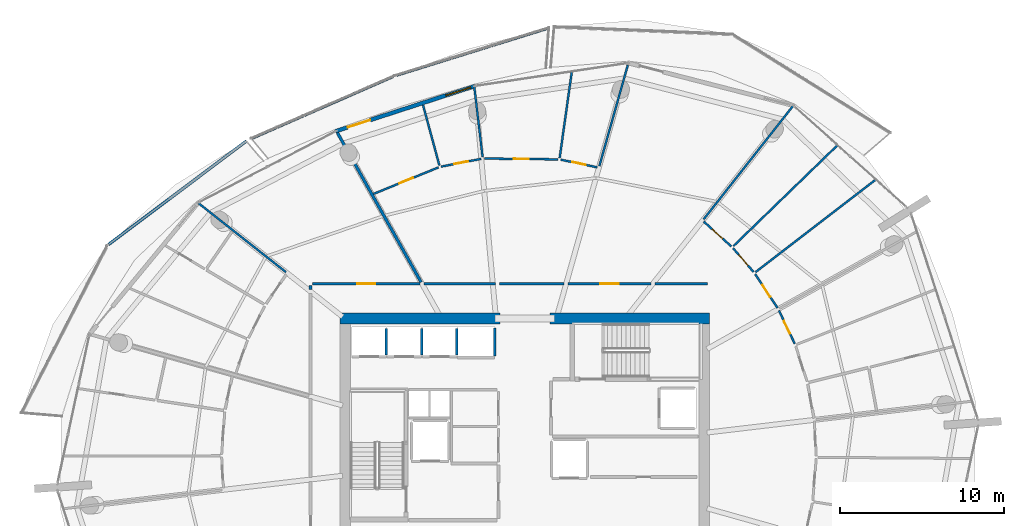
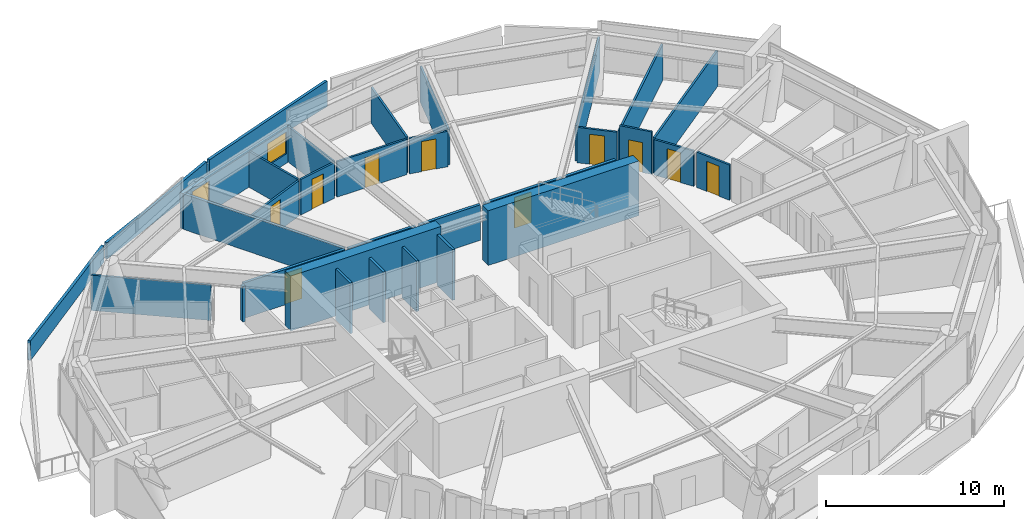
# One storey, part 14 of 20: 33 walls, 11 doors, 1 window, 12 openings.
"""IFC4 building model written with IfcOpenShell, lengths in metres."""

import ifcopenshell
import ifcopenshell.guid

model = None  # the IFC model being written
_history = None  # IfcOwnerHistory: only IFC2X3 demands one
_inside = {}  # id of a spatial element -> (the spatial element, [elements in it])
_under = {}  # id of a project, library or spatial element -> (it, [spatial elements below it])
_declared = {}  # id of a project -> (the project, [libraries it declares])
_typed = {}  # id of a type object -> (the type object, [elements of that type])
_made_of = {}  # id of a material, layer set ... -> (it, [elements and type objects made of it])


def new_model(schema):
    """Start an empty IFC model of exactly this schema.

    Asked for "IFC4X3", IfcOpenShell would pick the latest addendum, in which some entities
    have other attributes; the version numbers below select the first issue.
    IFC2X3 requires an IfcOwnerHistory on every rooted entity: one is made here for all.
    """
    global model, _history
    if schema == "IFC4X3":
        model = ifcopenshell.file(schema_version=(4, 3, 0, 0))
    else:
        model = ifcopenshell.file(schema=schema)
    _inside.clear()
    _under.clear()
    _declared.clear()
    _typed.clear()
    _made_of.clear()
    _history = None
    if model.schema == "IFC2X3":
        org = make("IfcOrganization", Name="unknown")
        user = make(
            "IfcPersonAndOrganization",
            ThePerson=make("IfcPerson", FamilyName="unknown"),
            TheOrganization=org,
        )
        app = make(
            "IfcApplication",
            ApplicationDeveloper=org,
            Version="unknown",
            ApplicationFullName="unknown",
            ApplicationIdentifier="unknown",
        )
        _history = make(
            "IfcOwnerHistory",
            OwningUser=user,
            OwningApplication=app,
            ChangeAction="ADDED",
            CreationDate=0,
        )
    return model


def make(cls, **values):
    """One entity of the class cls with the attributes given. An attribute that is None is left unset."""
    return model.create_entity(
        cls, **{name: value for name, value in values.items() if value is not None}
    )


def rooted(cls, **values):
    """An entity with a GlobalId (a new one), such as an element, a storey or a relation."""
    return make(cls, GlobalId=ifcopenshell.guid.new(), OwnerHistory=_history, **values)


def si_unit(unit_type, name, prefix=None):
    """IfcSIUnit, for example si_unit("LENGTHUNIT", "METRE", prefix="MILLI")."""
    return make("IfcSIUnit", UnitType=unit_type, Prefix=prefix, Name=name)


def assignment(units):
    """IfcUnitAssignment: the units of a project."""
    return None if units is None else make("IfcUnitAssignment", Units=units)


def point(xyz):
    """IfcCartesianPoint."""
    return None if xyz is None else make("IfcCartesianPoint", Coordinates=xyz)


def direction(xyz):
    """IfcDirection."""
    return None if xyz is None else make("IfcDirection", DirectionRatios=xyz)


def frame(location, z_axis=None, x_axis=None):
    """IfcAxis2Placement3D, a coordinate frame: its origin and axes. An axis left out is left unset."""
    return make(
        "IfcAxis2Placement3D",
        Location=point(location),
        Axis=direction(z_axis),
        RefDirection=direction(x_axis),
    )


def frame_2d(location, x_axis=None):
    """IfcAxis2Placement2D, a coordinate frame in the plane: its origin and x axis."""
    return make(
        "IfcAxis2Placement2D", Location=point(location), RefDirection=direction(x_axis)
    )


def origin():
    """The frame at (0, 0, 0) with its axes left unset."""
    return frame((0.0, 0.0, 0.0))


def place(relative_to, where):
    """IfcLocalPlacement: puts the frame where relative to a parent placement (None: the world)."""
    return make(
        "IfcLocalPlacement", PlacementRelTo=relative_to, RelativePlacement=where
    )


def context(
    kind, dimensions, precision=None, world=None, true_north=None, identifier=None
):
    """IfcGeometricRepresentationContext, for example the 3D "Model" context."""
    return make(
        "IfcGeometricRepresentationContext",
        ContextIdentifier=identifier,
        ContextType=kind,
        CoordinateSpaceDimension=dimensions,
        Precision=precision,
        WorldCoordinateSystem=world,
        TrueNorth=true_north,
    )


def subcontext(parent, identifier, kind, view, scale=None):
    """IfcGeometricRepresentationSubContext, for example "Body" below "Model"."""
    return make(
        "IfcGeometricRepresentationSubContext",
        ContextIdentifier=identifier,
        ContextType=kind,
        ParentContext=parent,
        TargetScale=scale,
        TargetView=view,
    )


def project(units=None, contexts=None):
    """IfcProject with its units and contexts."""
    return rooted(
        "IfcProject",
        Name="project",
        RepresentationContexts=contexts,
        UnitsInContext=assignment(units),
    )


def spatial(cls, under=None, at=None, **own):
    """A site, building, storey or space (cls), placed at a placement, below another one or the project."""
    s = rooted(cls, ObjectPlacement=at, **own)
    if under is not None:
        _under.setdefault(under.id(), (under, []))[1].append(s)
    return s


def polyline(points):
    """IfcPolyline through the points."""
    return make("IfcPolyline", Points=[point(p) for p in points])


def profile(cls, at=None, kind="AREA", **sizes):
    """A parametric profile (cls). Its sizes go by their IFC names, for example OverallWidth=200.0."""
    return make(cls, ProfileType=kind, Position=at, **sizes)


def rectangle(**sizes):
    """IfcRectangleProfileDef."""
    return profile("IfcRectangleProfileDef", **sizes)


def outline(outer, holes=None, kind="AREA"):
    """IfcArbitraryClosedProfileDef: a profile drawn as a closed curve; with holes, ...WithVoids."""
    if holes is None:
        return make("IfcArbitraryClosedProfileDef", ProfileType=kind, OuterCurve=outer)
    return make(
        "IfcArbitraryProfileDefWithVoids",
        ProfileType=kind,
        OuterCurve=outer,
        InnerCurves=holes,
    )


def extrude(swept, where, along, depth):
    """IfcExtrudedAreaSolid: the profile swept, set in the frame where, extruded along a direction by depth."""
    return make(
        "IfcExtrudedAreaSolid",
        SweptArea=swept,
        Position=where,
        ExtrudedDirection=direction(along),
        Depth=depth,
    )


def shape(context_of_items, identifier, shape_type, items):
    """IfcShapeRepresentation: the items that make up one representation, for example the "Body"."""
    return make(
        "IfcShapeRepresentation",
        ContextOfItems=context_of_items,
        RepresentationIdentifier=identifier,
        RepresentationType=shape_type,
        Items=items,
    )


def material(Name=None, Category=None):
    """IfcMaterial."""
    return make("IfcMaterial", Name=Name, Category=Category)


def layer(
    of_material, thickness, ventilated=None, Name=None, Category=None, Priority=None
):
    """IfcMaterialLayer: one layer of a wall or slab, of a material (None: an air gap)."""
    return make(
        "IfcMaterialLayer",
        Material=of_material,
        LayerThickness=thickness,
        IsVentilated=ventilated,
        Name=Name,
        Category=Category,
        Priority=Priority,
    )


def layer_set(layers, Name=None):
    """IfcMaterialLayerSet."""
    return make("IfcMaterialLayerSet", MaterialLayers=layers, LayerSetName=Name)


def made_of(thing, what):
    """Note that an element or type object is made of a material, layer set ...; save() writes the relation."""
    if what is not None:
        _made_of.setdefault(what.id(), (what, []))[1].append(thing)
    return thing


def type_object(cls, material=None, **own):
    """A type object (cls), such as IfcWallType, which elements share."""
    return made_of(rooted(cls, **own), material)


def element(
    cls,
    number,
    at=None,
    inside=None,
    cuts=None,
    type_object=None,
    material=None,
    context=None,
    identifier="Body",
    shape_type=None,
    held_by="IfcProductDefinitionShape",
    body=None,
    shapes=None,
    **own,
):
    """One element of the class cls, such as IfcWall. Its Tag is "e" and its number.

    at: its placement. inside: the storey or other place that contains it. cuts: it is an
    opening in that element (IfcRelVoidsElement). A single representation is given by context,
    identifier, shape_type and body (its items); several are given by shapes. held_by: the class
    of the entity that holds the representations. save() writes the other relations.
    """
    e = rooted(cls, Tag="e%d" % number, ObjectPlacement=at, **own)
    if body is not None:
        shapes = [shape(context, identifier, shape_type, body)]
    if shapes is not None:
        e.Representation = make(held_by, Representations=shapes)
    if inside is not None:
        _inside.setdefault(inside.id(), (inside, []))[1].append(e)
    if cuts is not None:
        rooted(
            "IfcRelVoidsElement", RelatingBuildingElement=cuts, RelatedOpeningElement=e
        )
    if type_object is not None:
        _typed.setdefault(type_object.id(), (type_object, []))[1].append(e)
    return made_of(e, material)


def fill(opening, filler):
    """IfcRelFillsElement: the door or window that sits in an opening."""
    return rooted(
        "IfcRelFillsElement",
        RelatingOpeningElement=opening,
        RelatedBuildingElement=filler,
    )


def aggregate(whole, parts):
    """IfcRelAggregates: a whole, such as a stair, and the parts it consists of."""
    return rooted("IfcRelAggregates", RelatingObject=whole, RelatedObjects=parts)


def save(model, path):
    """Write the relations noted so far, then the file.

    IfcRelAggregates (storeys below a building ...), IfcRelContainedInSpatialStructure (elements
    in a storey), IfcRelDefinesByType, IfcRelAssociatesMaterial and IfcRelDeclares: one each for
    every whole, place, type object, material and project.
    """
    for whole, parts in _under.values():
        aggregate(whole, parts)
    for where, things in _inside.values():
        rooted(
            "IfcRelContainedInSpatialStructure",
            RelatedElements=things,
            RelatingStructure=where,
        )
    for kind, things in _typed.values():
        rooted("IfcRelDefinesByType", RelatedObjects=things, RelatingType=kind)
    for what, things in _made_of.values():
        rooted("IfcRelAssociatesMaterial", RelatedObjects=things, RelatingMaterial=what)
    for by, libraries in _declared.values():
        rooted("IfcRelDeclares", RelatingContext=by, RelatedDefinitions=libraries)
    model.write(path)


model = new_model("IFC4")

# Units and contexts
model_context = context("Model", 3, precision=1e-05, world=origin(), true_north=direction((0.0, 1.0)))
body_context = subcontext(model_context, "Body", "Model", "MODEL_VIEW")
ifc_project = project(units=[si_unit("LENGTHUNIT", "METRE"), si_unit("AREAUNIT", "SQUARE_METRE"), si_unit("VOLUMEUNIT", "CUBIC_METRE"), si_unit("PLANEANGLEUNIT", "RADIAN"), si_unit("MASSUNIT", "GRAM", prefix="KILO")], contexts=[model_context])

# Site, building, storey
site_placement = place(None, origin())
site = spatial("IfcSite", under=ifc_project, at=site_placement, CompositionType="ELEMENT")
building_placement = place(site_placement, origin())
building = spatial("IfcBuilding", under=site, at=building_placement, Name="Kazma Halo Residences", CompositionType="ELEMENT")
storey_placement = place(building_placement, frame((0.0, 0.0, 221.550048828125)))
storey = spatial("IfcBuildingStorey", under=building, at=storey_placement, Name="L56", CompositionType="ELEMENT", Elevation=221.550048828125)

# Walls
ifc_material_1 = material(Name="White Concrete C50/60 Balustrade", Category="concrete")
ifc_layer_1 = layer(ifc_material_1, 0.179931640625)
ifc_layer_set_1 = layer_set([ifc_layer_1], Name="White Concrete C50/60 Balustrade")
wall_type_1 = type_object("IfcWallType", Name="WL-BAL-WAVE-180", PredefinedType="PARAPET", material=ifc_layer_set_1)
wall_1_placement = place(storey_placement, frame((49.8916015625, 68.071044921875, 0.0), z_axis=(0.0, 0.0, 1.0), x_axis=(-0.954909554677, -0.296896854793, 0.0)))
element("IfcWall", 1, at=wall_1_placement, inside=storey, type_object=wall_type_1, Name="L56 white wave balustrade wall NNW.1", PredefinedType="PARAPET", context=body_context, shape_type="SweptSolid", body=[
    extrude(outline(polyline([(0.0, 0.0), (9.736083984375, 0.0), (9.736328125, 1.347900390625), (4.8681640625, 1.56201171875), (0.0, 1.7470703125), (0.0, 0.0)])), frame((0.0, 0.08984375, 0.0), z_axis=(0.0, -1.0, 0.0), x_axis=(1.0, 0.0, 0.0)), (0.0, 0.0, 1.0), 0.179931640625),
])
wall_2_placement = place(storey_placement, frame((40.369873046875, 65.0966796875, 0.0), z_axis=(0.0, 0.0, 1.0), x_axis=(-0.916057097562, -0.401047869968, 0.0)))
element("IfcWall", 2, at=wall_2_placement, inside=storey, type_object=wall_type_1, Name="L56 white wave balustrade wall NNW.2", PredefinedType="PARAPET", context=body_context, shape_type="SweptSolid", body=[
    extrude(outline(polyline([(0.0, 0.0), (9.44970703125, 0.0), (9.44970703125, 1.119873046875), (4.724853515625, 1.181884765625), (0.0, 1.347900390625), (0.0, 0.0)])), frame((0.0, 0.08984375, 0.0), z_axis=(0.0, -1.0, 0.0), x_axis=(1.0, 0.0, 0.0)), (0.0, 0.0, 1.0), 0.179931640625),
])
wall_3_placement = place(storey_placement, frame((31.431884765625, 61.160400390625, 0.0), z_axis=(0.0, 0.0, 1.0), x_axis=(-0.799768695593, -0.600308282093, 0.0)))
element("IfcWall", 3, at=wall_3_placement, inside=storey, type_object=wall_type_1, Name="L56 white wave balustrade wall NW.1", PredefinedType="PARAPET", context=body_context, shape_type="SweptSolid", body=[
    extrude(outline(polyline([(0.0, 0.0), (10.515380859375, 0.0), (10.515380859375, 1.347900390625), (5.2578125, 1.181884765625), (0.0, 1.119873046875), (0.0, 0.0)])), frame((0.0, 0.08984375, 0.0), z_axis=(0.0, -1.0, 0.0), x_axis=(1.0, 0.0, 0.0)), (0.0, 0.0, 1.0), 0.179931640625),
])
ifc_material_2 = material(Name="Concrete C60/75", Category="concrete")
ifc_layer_2 = layer(ifc_material_2, 0.64990234375)
ifc_layer_set_2 = layer_set([ifc_layer_2], Name="Concrete C60/75")
wall_type_2 = type_object("IfcWallType", Name="WL-CORE-650", PredefinedType="SHEAR", material=ifc_layer_set_2)
for number, where, z_axis, x_axis, name in (
    (4, (37.14990234375, 50.324951171875, 0.0), (0.0, 0.0, 1.0), (1.0, 0.0, 0.0), "L56 central core shear wall NW"),
    (5, (49.949951171875, 50.324951171875, 0.0), (0.0, 0.0, 1.0), (1.0, 0.0, 0.0), "L56 central core shear wall NE"),
):
    element("IfcWall", number, at=place(storey_placement, frame(where, z_axis=z_axis, x_axis=x_axis)), inside=storey, type_object=wall_type_2, Name=name, PredefinedType="SHEAR", context=body_context, shape_type="SweptSolid", body=[
        extrude(rectangle(XDim=9.75, YDim=0.64990234375, at=frame_2d((4.875, 0.0))), origin(), (0.0, 0.0, 1.0), 3.75),
    ])
ifc_material_3 = material(Name="Acoustic Twin-Stud Gypsum")
ifc_layer_3 = layer(ifc_material_3, 0.179931640625)
ifc_layer_set_3 = layer_set([ifc_layer_3], Name="Acoustic Twin-Stud Gypsum")
wall_type_3 = type_object("IfcWallType", Name="WL-DEM-180", PredefinedType="PARTITIONING", material=ifc_layer_set_3)
wall_4_placement = place(storey_placement, frame((42.093994140625, 52.5458984375, 0.0), z_axis=(0.0, 0.0, 1.0), x_axis=(-0.488614041717, 0.872500039104, 0.0)))
element("IfcWall", 6, at=wall_4_placement, inside=storey, type_object=wall_type_3, Name="L56 apartment demising radial wall 04", PredefinedType="PARTITIONING", context=body_context, shape_type="SweptSolid", body=[
    extrude(rectangle(XDim=10.448486328125, YDim=0.179931640625, at=frame_2d((5.22412109375, 0.0))), origin(), (0.0, 0.0, 1.0), 2.427001953125),
])

# Wall, opening, door
wall_5_placement = place(storey_placement, frame((42.027587890625, 52.449951171875, 0.0), z_axis=(0.0, 0.0, 1.0), x_axis=(-1.0, 0.0, 0.0)))
wall_5 = element("IfcWall", 7, at=wall_5_placement, inside=storey, type_object=wall_type_3, Name="L56 Apartment 1 entrance corridor wall", PredefinedType="PARTITIONING", context=body_context, shape_type="SweptSolid", body=[
    extrude(rectangle(XDim=6.5576171875, YDim=0.179931640625, at=frame_2d((3.27880859375, 0.0))), origin(), (0.0, 0.0, 1.0), 2.427001953125),
])
opening_1_placement = place(wall_5_placement, frame((2.72900390625, 0.0, 0.0)))
opening_1 = element("IfcOpeningElement", 8, at=opening_1_placement, cuts=wall_5, Name="Opening DA-1100", PredefinedType="OPENING", context=body_context, shape_type="SweptSolid", body=[
    extrude(rectangle(XDim=1.10009765625, YDim=2.10009765625, at=frame_2d((0.550048828125, 1.050048828125))), frame((0.0, 0.099853515625, 0.0), z_axis=(0.0, -1.0, 0.0), x_axis=(1.0, 0.0, 0.0)), (0.0, 0.0, 1.0), 0.199951171875),
])
ifc_material_4 = material(Name="Acoustic Walnut Fire Leaf")
door_type_1 = type_object("IfcDoorType", Name="DR-FD60-1100", OperationType="NOTDEFINED", PredefinedType="DOOR", material=ifc_material_4)
door_1_placement = place(opening_1_placement, origin())
door_1 = element("IfcDoor", 9, at=door_1_placement, inside=storey, type_object=door_type_1, Name="L56 Apartment 1 entrance fire door", OperationType="SINGLE_SWING_RIGHT", OverallHeight=2.10009765625, OverallWidth=1.10009765625, PredefinedType="DOOR", context=body_context, shape_type="SweptSolid", body=[
    extrude(rectangle(XDim=1.10009765625, YDim=2.10009765625, at=frame_2d((0.550048828125, 1.050048828125))), frame((0.0, 0.02490234375, 0.0), z_axis=(0.0, -1.0, 0.0), x_axis=(1.0, 0.0, 0.0)), (0.0, 0.0, 1.0), 0.050048828125),
])
fill(opening_1, door_1)

# Wall
wall_6_placement = place(storey_placement, frame((35.35009765625, 52.330078125, 0.0), z_axis=(0.0, 0.0, 1.0), x_axis=(0.0, -1.0, 0.0)))
element("IfcWall", 10, at=wall_6_placement, inside=storey, type_object=wall_type_3, Name="L56 Apartment 1 entrance corridor wall", PredefinedType="PARTITIONING", context=body_context, shape_type="SweptSolid", body=[
    extrude(rectangle(XDim=0.237548828125, YDim=0.179931640625, at=frame_2d((0.11865234375, 0.0))), origin(), (0.0, 0.0, 1.0), 2.427001953125),
])

# Wall, opening, door
wall_7_placement = place(storey_placement, frame((56.1181640625, 52.449951171875, 0.0), z_axis=(0.0, 0.0, 1.0), x_axis=(-1.0, 0.0, 0.0)))
wall_7 = element("IfcWall", 11, at=wall_7_placement, inside=storey, type_object=wall_type_3, Name="L56 Apartment 3 entrance corridor wall", PredefinedType="PARTITIONING", context=body_context, shape_type="SweptSolid", body=[
    extrude(rectangle(XDim=5.051025390625, YDim=0.179931640625, at=frame_2d((2.525390625, 0.0))), origin(), (0.0, 0.0, 1.0), 2.427001953125),
])
opening_2_placement = place(wall_7_placement, frame((1.975341796875, 0.0, 0.0)))
opening_2 = element("IfcOpeningElement", 12, at=opening_2_placement, cuts=wall_7, Name="Opening DA-1100", PredefinedType="OPENING", context=body_context, shape_type="SweptSolid", body=[
    extrude(rectangle(XDim=1.10009765625, YDim=2.10009765625, at=frame_2d((0.550048828125, 1.050048828125))), frame((0.0, 0.099853515625, 0.0), z_axis=(0.0, -1.0, 0.0), x_axis=(1.0, 0.0, 0.0)), (0.0, 0.0, 1.0), 0.199951171875),
])
door_2_placement = place(opening_2_placement, origin())
door_2 = element("IfcDoor", 13, at=door_2_placement, inside=storey, type_object=door_type_1, Name="L56 Apartment 3 entrance fire door", OperationType="SINGLE_SWING_RIGHT", OverallHeight=2.10009765625, OverallWidth=1.10009765625, PredefinedType="DOOR", context=body_context, shape_type="SweptSolid", body=[
    extrude(rectangle(XDim=1.10009765625, YDim=2.10009765625, at=frame_2d((0.550048828125, 1.050048828125))), frame((0.0, 0.02490234375, 0.0), z_axis=(0.0, -1.0, 0.0), x_axis=(1.0, 0.0, 0.0)), (0.0, 0.0, 1.0), 0.050048828125),
])
fill(opening_2, door_2)

# Walls
wall_8_placement = place(storey_placement, frame((59.580078125, 52.449951171875, 0.0), z_axis=(0.0, 0.0, 1.0), x_axis=(-1.0, 0.0, 0.0)))
element("IfcWall", 14, at=wall_8_placement, inside=storey, type_object=wall_type_3, Name="L56 Apartment 3 inner wall 0", PredefinedType="PARTITIONING", context=body_context, shape_type="SweptSolid", body=[
    extrude(rectangle(XDim=3.221923828125, YDim=0.179931640625, at=frame_2d((1.61083984375, 0.0))), origin(), (0.0, 0.0, 1.0), 2.427001953125),
])
wall_9_placement = place(storey_placement, frame((50.8271484375, 52.449951171875, 0.0), z_axis=(0.0, 0.0, 1.0), x_axis=(-1.0, 0.0, 0.0)))
element("IfcWall", 15, at=wall_9_placement, inside=storey, type_object=wall_type_3, Name="L56 Apartment 3 inner wall 2", PredefinedType="PARTITIONING", context=body_context, shape_type="SweptSolid", body=[
    extrude(rectangle(XDim=3.94384765625, YDim=0.179931640625, at=frame_2d((1.971923828125, 0.0))), origin(), (0.0, 0.0, 1.0), 2.427001953125),
])
wall_10_placement = place(storey_placement, frame((46.643310546875, 52.449951171875, 0.0), z_axis=(0.0, 0.0, 1.0), x_axis=(-1.0, 0.0, 0.0)))
element("IfcWall", 16, at=wall_10_placement, inside=storey, type_object=wall_type_3, Name="L56 Apartment 3 inner wall 3", PredefinedType="PARTITIONING", context=body_context, shape_type="SweptSolid", body=[
    extrude(rectangle(XDim=4.375732421875, YDim=0.179931640625, at=frame_2d((2.18798828125, 0.0))), origin(), (0.0, 0.0, 1.0), 2.427001953125),
])

# Wall, openings, door, window
ifc_material_5 = material(Name="Insulated Pale-Metal Composite Wall")
ifc_layer_4 = layer(ifc_material_5, 0.239990234375)
ifc_layer_set_4 = layer_set([ifc_layer_4], Name="Insulated Pale-Metal Composite Wall")
wall_type_4 = type_object("IfcWallType", Name="WL-EXT-HOST-240", PredefinedType="SOLIDWALL", material=ifc_layer_set_4)
wall_11_placement = place(storey_placement, frame((45.38427734375, 64.518798828125, 0.0), z_axis=(0.0, 0.0, 1.0), x_axis=(-0.951058543936, -0.309010753869, 0.0)))
wall_11 = element("IfcWall", 17, at=wall_11_placement, inside=storey, type_object=wall_type_4, Name="L56 exterior terrace-access wall B04", PredefinedType="SOLIDWALL", context=body_context, shape_type="SweptSolid", body=[
    extrude(rectangle(XDim=8.942138671875, YDim=0.239990234375, at=frame_2d((4.47119140625, 0.0))), origin(), (0.0, 0.0, 1.0), 2.419921875),
])
opening_3_placement = place(wall_11_placement, frame((6.721923828125, 0.0, 0.0)))
opening_3 = element("IfcOpeningElement", 18, at=opening_3_placement, cuts=wall_11, Name="Opening DTR-1600", PredefinedType="OPENING", context=body_context, shape_type="SweptSolid", body=[
    extrude(rectangle(XDim=1.449951171875, YDim=2.14990234375, at=frame_2d((0.72509765625, 1.074951171875))), frame((0.0, 0.1298828125, 0.0), z_axis=(0.0, -1.0, 0.0), x_axis=(1.0, 0.0, 0.0)), (0.0, 0.0, 1.0), 0.260009765625),
])
opening_4_placement = place(wall_11_placement, frame((0.280029296875, 0.0, 0.64990234375)))
opening_4 = element("IfcOpeningElement", 19, at=opening_4_placement, cuts=wall_11, Name="Opening W-1800", PredefinedType="OPENING", context=body_context, shape_type="SweptSolid", body=[
    extrude(rectangle(XDim=1.60009765625, YDim=1.5, at=frame_2d((0.800048828125, 0.75))), frame((0.0, 0.1298828125, 0.0), z_axis=(0.0, -1.0, 0.0), x_axis=(1.0, 0.0, 0.0)), (0.0, 0.0, 1.0), 0.260009765625),
])
ifc_material_6 = material(Name="Aluminium AW-6063 T6 Double-Glazed Terrace Door", Category="aluminium")
door_type_2 = type_object("IfcDoorType", Name="DR-EXT-TERR-1600", OperationType="NOTDEFINED", PredefinedType="DOOR", material=ifc_material_6)
door_3_placement = place(opening_3_placement, origin())
door_3 = element("IfcDoor", 20, at=door_3_placement, inside=storey, type_object=door_type_2, Name="L56 B04 balcony terrace door", OperationType="DOUBLE_DOOR_SLIDING", OverallHeight=2.14990234375, OverallWidth=1.449951171875, PredefinedType="DOOR", context=body_context, shape_type="SweptSolid", body=[
    extrude(rectangle(XDim=1.449951171875, YDim=2.14990234375, at=frame_2d((0.72509765625, 1.074951171875))), frame((0.0, 0.02490234375, 0.0), z_axis=(0.0, -1.0, 0.0), x_axis=(1.0, 0.0, 0.0)), (0.0, 0.0, 1.0), 0.050048828125),
])
fill(opening_3, door_3)
ifc_material_7 = material(Name="Clear Triple-Silver Low-E Glass in Aluminium AW-6063 T6 Frame", Category="aluminium")
window_type = type_object("IfcWindowType", Name="WIN-RES-1800", PartitioningType="DOUBLE_PANEL_VERTICAL", PredefinedType="WINDOW", material=ifc_material_7)
window_placement = place(opening_4_placement, origin())
window = element("IfcWindow", 21, at=window_placement, inside=storey, type_object=window_type, Name="L56 B04 apartment window", OverallHeight=1.5, OverallWidth=1.60009765625, PartitioningType="SINGLE_PANEL", PredefinedType="WINDOW", context=body_context, shape_type="SweptSolid", body=[
    extrude(rectangle(XDim=1.60009765625, YDim=1.5, at=frame_2d((0.800048828125, 0.75))), frame((0.0, 0.030029296875, 0.0), z_axis=(0.0, -1.0, 0.0), x_axis=(1.0, 0.0, 0.0)), (0.0, 0.0, 1.0), 0.06005859375),
])
fill(opening_4, window)

# Walls
ifc_material_8 = material(Name="Fire-Rated Blockwork Masonry", Category="masonry")
ifc_layer_5 = layer(ifc_material_8, 0.199951171875)
ifc_layer_set_5 = layer_set([ifc_layer_5], Name="Fire-Rated Blockwork Masonry")
wall_type_5 = type_object("IfcWallType", Name="WL-FLB-200", PredefinedType="PARTITIONING", material=ifc_layer_set_5)
for number, where, z_axis, x_axis, name in (
    (22, (39.97509765625, 48.094970703125, 0.0), (0.0, 0.0, 1.0), (0.0, 1.0, 0.0), "L56 lift shaft PM-01 side wall E"),
    (23, (42.125, 48.094970703125, 0.0), (0.0, 0.0, 1.0), (0.0, 1.0, 0.0), "L56 lift shaft PM-02 side wall E"),
    (24, (44.27490234375, 48.094970703125, 0.0), (0.0, 0.0, 1.0), (0.0, 1.0, 0.0), "L56 lift shaft PM-03 side wall E"),
):
    element("IfcWall", number, at=place(storey_placement, frame(where, z_axis=z_axis, x_axis=x_axis)), inside=storey, type_object=wall_type_5, Name=name, PredefinedType="PARTITIONING", context=body_context, shape_type="SweptSolid", body=[
        extrude(rectangle(XDim=1.610107421875, YDim=0.159912109375, at=frame_2d((0.80517578125, 0.0))), origin(), (0.0, 0.0, 1.0), 3.469970703125),
    ])
wall_12_placement = place(storey_placement, frame((46.580078125, 48.044921875, 0.0), z_axis=(0.0, 0.0, 1.0), x_axis=(0.0, 1.0, 0.0)))
element("IfcWall", 25, at=wall_12_placement, inside=storey, type_object=wall_type_5, Name="L56 lift shaft PX-01 side wall E", PredefinedType="PARTITIONING", context=body_context, shape_type="SweptSolid", body=[
    extrude(rectangle(XDim=1.7099609375, YDim=0.159912109375, at=frame_2d((0.85498046875, 0.0))), origin(), (0.0, 0.0, 1.0), 3.469970703125),
])
ifc_material_9 = material(Name="Gypsum Plasterboard Partition")
ifc_layer_6 = layer(ifc_material_9, 0.125)
ifc_layer_set_6 = layer_set([ifc_layer_6], Name="Gypsum Plasterboard Partition")
wall_type_6 = type_object("IfcWallType", Name="WL-PART-125", PredefinedType="PARTITIONING", material=ifc_layer_set_6)
wall_13_placement = place(storey_placement, frame((33.84228515625, 53.160888671875, 0.0), z_axis=(0.0, 0.0, 1.0), x_axis=(-0.785311801239, 0.619100456173, 0.0)))
element("IfcWall", 26, at=wall_13_placement, inside=storey, type_object=wall_type_6, Name="L56 Apartment 1 radial partition 5", PredefinedType="PARTITIONING", context=body_context, shape_type="SweptSolid", body=[
    extrude(rectangle(XDim=6.79931640625, YDim=0.125, at=frame_2d((3.399658203125, 0.0))), origin(), (0.0, 0.0, 1.0), 2.427001953125),
])

# Wall, opening, door
wall_14_placement = place(storey_placement, frame((64.900634765625, 48.784912109375, 0.0), z_axis=(0.0, 0.0, 1.0), x_axis=(-0.429451921588, 0.903089722588, 0.0)))
wall_14 = element("IfcWall", 27, at=wall_14_placement, inside=storey, type_object=wall_type_6, Name="L56 Apartment 3 North Master Bedroom hall wall", PredefinedType="PARTITIONING", context=body_context, shape_type="SweptSolid", body=[
    extrude(rectangle(XDim=2.2431640625, YDim=0.125, at=frame_2d((1.12158203125, 0.0))), origin(), (0.0, 0.0, 1.0), 2.427001953125),
])
opening_5_placement = place(wall_14_placement, frame((0.69677734375, 0.0, 0.0)))
opening_5 = element("IfcOpeningElement", 28, at=opening_5_placement, cuts=wall_14, Name="Opening DB-900", PredefinedType="OPENING", context=body_context, shape_type="SweptSolid", body=[
    extrude(rectangle(XDim=0.85009765625, YDim=2.06005859375, at=frame_2d((0.425048828125, 1.030029296875))), frame((0.0, 0.072509765625, 0.0), z_axis=(0.0, -1.0, 0.0), x_axis=(1.0, 0.0, 0.0)), (0.0, 0.0, 1.0), 0.14501953125),
])
ifc_material_10 = material(Name="Moisture-Sealed Timber Leaf", Category="wood")
door_type_3 = type_object("IfcDoorType", Name="DR-BTH-900", OperationType="NOTDEFINED", PredefinedType="DOOR", material=ifc_material_10)
door_4_placement = place(opening_5_placement, origin())
door_4 = element("IfcDoor", 29, at=door_4_placement, inside=storey, type_object=door_type_3, Name="L56 Apartment 3 North Master Bedroom door", OperationType="SINGLE_SWING_LEFT", OverallHeight=2.06005859375, OverallWidth=0.85009765625, PredefinedType="DOOR", context=body_context, shape_type="SweptSolid", body=[
    extrude(rectangle(XDim=0.85009765625, YDim=2.06005859375, at=frame_2d((0.425048828125, 1.030029296875))), frame((0.0, 0.02490234375, 0.0), z_axis=(0.0, -1.0, 0.0), x_axis=(1.0, 0.0, 0.0)), (0.0, 0.0, 1.0), 0.050048828125),
])
fill(opening_5, door_4)

# Walls
wall_15_placement = place(storey_placement, frame((59.33984375, 56.384521484375, 0.0), z_axis=(0.0, 0.0, 1.0), x_axis=(0.619088176329, 0.785321481897, 0.0)))
element("IfcWall", 30, at=wall_15_placement, inside=storey, type_object=wall_type_6, Name="L56 Apartment 3 living radial partition 0", PredefinedType="PARTITIONING", context=body_context, shape_type="SweptSolid", body=[
    extrude(rectangle(XDim=8.8134765625, YDim=0.125, at=frame_2d((4.40673828125, 0.0))), origin(), (0.0, 0.0, 1.0), 2.427001953125),
])
wall_16_placement = place(storey_placement, frame((62.50927734375, 53.16357421875, 0.0), z_axis=(0.0, 0.0, 1.0), x_axis=(0.792555170496, 0.609800214595, 0.0)))
element("IfcWall", 31, at=wall_16_placement, inside=storey, type_object=wall_type_6, Name="L56 Apartment 3 bay wall 1 0", PredefinedType="PARTITIONING", context=body_context, shape_type="SweptSolid", body=[
    extrude(rectangle(XDim=9.232421875, YDim=0.125, at=frame_2d((4.6162109375, 0.0))), origin(), (0.0, 0.0, 1.0), 2.445068359375),
])
wall_17_placement = place(storey_placement, frame((61.146728515625, 54.739990234375, 0.0), z_axis=(0.0, 0.0, 1.0), x_axis=(0.718115054564, 0.695924398487, 0.0)))
element("IfcWall", 32, at=wall_17_placement, inside=storey, type_object=wall_type_6, Name="L56 Apartment 3 bay wall 2 0", PredefinedType="PARTITIONING", context=body_context, shape_type="SweptSolid", body=[
    extrude(rectangle(XDim=8.83447265625, YDim=0.125, at=frame_2d((4.417236328125, 0.0))), origin(), (0.0, 0.0, 1.0), 2.445068359375),
])

# Wall, opening, door
wall_18_placement = place(storey_placement, frame((63.85009765625, 50.968017578125, 0.0), z_axis=(0.0, 0.0, 1.0), x_axis=(-0.550588918003, 0.834776523012, 0.0)))
wall_18 = element("IfcWall", 33, at=wall_18_placement, inside=storey, type_object=wall_type_6, Name="L56 Apartment 3 South Bedroom hall wall", PredefinedType="PARTITIONING", context=body_context, shape_type="SweptSolid", body=[
    extrude(rectangle(XDim=2.484375, YDim=0.125, at=frame_2d((1.2421875, 0.0))), origin(), (0.0, 0.0, 1.0), 2.427001953125),
])
opening_6_placement = place(wall_18_placement, frame((0.8173828125, 0.0, 0.0)))
opening_6 = element("IfcOpeningElement", 34, at=opening_6_placement, cuts=wall_18, Name="Opening DB-900", PredefinedType="OPENING", context=body_context, shape_type="SweptSolid", body=[
    extrude(rectangle(XDim=0.85009765625, YDim=2.06005859375, at=frame_2d((0.425048828125, 1.030029296875))), frame((0.0, 0.072509765625, 0.0), z_axis=(0.0, -1.0, 0.0), x_axis=(1.0, 0.0, 0.0)), (0.0, 0.0, 1.0), 0.14501953125),
])
door_5_placement = place(opening_6_placement, origin())
door_5 = element("IfcDoor", 35, at=door_5_placement, inside=storey, type_object=door_type_3, Name="L56 Apartment 3 South Bedroom door", OperationType="SINGLE_SWING_RIGHT", OverallHeight=2.06005859375, OverallWidth=0.85009765625, PredefinedType="DOOR", context=body_context, shape_type="SweptSolid", body=[
    extrude(rectangle(XDim=0.85009765625, YDim=2.06005859375, at=frame_2d((0.425048828125, 1.030029296875))), frame((0.0, 0.02490234375, 0.0), z_axis=(0.0, -1.0, 0.0), x_axis=(1.0, 0.0, 0.0)), (0.0, 0.0, 1.0), 0.050048828125),
])
fill(opening_6, door_5)

wall_19_placement = place(storey_placement, frame((62.3857421875, 53.169189453125, 0.0), z_axis=(0.0, 0.0, 1.0), x_axis=(-0.653885574284, 0.756593454732, 0.0)))
wall_19 = element("IfcWall", 36, at=wall_19_placement, inside=storey, type_object=wall_type_6, Name="L56 Apartment 3 Inner Study hall wall", PredefinedType="PARTITIONING", context=body_context, shape_type="SweptSolid", body=[
    extrude(rectangle(XDim=1.91357421875, YDim=0.125, at=frame_2d((0.956787109375, 0.0))), origin(), (0.0, 0.0, 1.0), 2.909912109375),
])
opening_7_placement = place(wall_19_placement, frame((0.53173828125, 0.0, 0.0)))
opening_7 = element("IfcOpeningElement", 37, at=opening_7_placement, cuts=wall_19, Name="Opening DB-900", PredefinedType="OPENING", context=body_context, shape_type="SweptSolid", body=[
    extrude(rectangle(XDim=0.85009765625, YDim=2.06005859375, at=frame_2d((0.425048828125, 1.030029296875))), frame((0.0, 0.072509765625, 0.0), z_axis=(0.0, -1.0, 0.0), x_axis=(1.0, 0.0, 0.0)), (0.0, 0.0, 1.0), 0.14501953125),
])
door_6_placement = place(opening_7_placement, origin())
door_6 = element("IfcDoor", 38, at=door_6_placement, inside=storey, type_object=door_type_3, Name="L56 Apartment 3 Inner Study door", OperationType="SINGLE_SWING_LEFT", OverallHeight=2.06005859375, OverallWidth=0.85009765625, PredefinedType="DOOR", context=body_context, shape_type="SweptSolid", body=[
    extrude(rectangle(XDim=0.85009765625, YDim=2.06005859375, at=frame_2d((0.425048828125, 1.030029296875))), frame((0.0, 0.02490234375, 0.0), z_axis=(0.0, -1.0, 0.0), x_axis=(1.0, 0.0, 0.0)), (0.0, 0.0, 1.0), 0.050048828125),
])
fill(opening_7, door_6)

wall_20_placement = place(storey_placement, frame((61.022705078125, 54.73095703125, 0.0), z_axis=(0.0, 0.0, 1.0), x_axis=(-0.742261355739, 0.670110498184, 0.0)))
wall_20 = element("IfcWall", 39, at=wall_20_placement, inside=storey, type_object=wall_type_6, Name="L56 Apartment 3 Outer Bedroom hall wall", PredefinedType="PARTITIONING", context=body_context, shape_type="SweptSolid", body=[
    extrude(rectangle(XDim=2.2705078125, YDim=0.125, at=frame_2d((1.13525390625, 0.0))), origin(), (0.0, 0.0, 1.0), 2.427001953125),
])
opening_8_placement = place(wall_20_placement, frame((0.710205078125, 0.0, 0.0)))
opening_8 = element("IfcOpeningElement", 40, at=opening_8_placement, cuts=wall_20, Name="Opening DB-900", PredefinedType="OPENING", context=body_context, shape_type="SweptSolid", body=[
    extrude(rectangle(XDim=0.85009765625, YDim=2.06005859375, at=frame_2d((0.425048828125, 1.030029296875))), frame((0.0, 0.072509765625, 0.0), z_axis=(0.0, -1.0, 0.0), x_axis=(1.0, 0.0, 0.0)), (0.0, 0.0, 1.0), 0.14501953125),
])
door_7_placement = place(opening_8_placement, origin())
door_7 = element("IfcDoor", 41, at=door_7_placement, inside=storey, type_object=door_type_3, Name="L56 Apartment 3 Outer Bedroom door", OperationType="SINGLE_SWING_RIGHT", OverallHeight=2.06005859375, OverallWidth=0.85009765625, PredefinedType="DOOR", context=body_context, shape_type="SweptSolid", body=[
    extrude(rectangle(XDim=0.85009765625, YDim=2.06005859375, at=frame_2d((0.425048828125, 1.030029296875))), frame((0.0, 0.02490234375, 0.0), z_axis=(0.0, -1.0, 0.0), x_axis=(1.0, 0.0, 0.0)), (0.0, 0.0, 1.0), 0.050048828125),
])
fill(opening_8, door_7)

# Walls
wall_21_placement = place(storey_placement, frame((52.971923828125, 59.629150390625, 0.0), z_axis=(0.0, 0.0, 1.0), x_axis=(0.271444786447, 0.962454013401, 0.0)))
element("IfcWall", 42, at=wall_21_placement, inside=storey, type_object=wall_type_6, Name="L56 Apartment 3 radial partition 2", PredefinedType="PARTITIONING", context=body_context, shape_type="SweptSolid", body=[
    extrude(rectangle(XDim=6.41015625, YDim=0.125, at=frame_2d((3.205078125, 0.0))), origin(), (0.0, 0.0, 1.0), 2.427001953125),
])
wall_22_placement = place(storey_placement, frame((50.551025390625, 60.12841796875, 0.0), z_axis=(0.0, 0.0, 1.0), x_axis=(0.139350148753, 0.990243170157, 0.0)))
element("IfcWall", 43, at=wall_22_placement, inside=storey, type_object=wall_type_6, Name="L56 Apartment 3 mid-bay wall 2", PredefinedType="PARTITIONING", context=body_context, shape_type="SweptSolid", body=[
    extrude(rectangle(XDim=5.298095703125, YDim=0.125, at=frame_2d((2.64892578125, 0.0))), origin(), (0.0, 0.0, 1.0), 2.445068359375),
])

# Wall, opening, door
wall_23_placement = place(storey_placement, frame((52.846923828125, 59.5537109375, 0.0), z_axis=(0.0, 0.0, 1.0), x_axis=(-0.978596361198, 0.205789119853, 0.0)))
wall_23 = element("IfcWall", 44, at=wall_23_placement, inside=storey, type_object=wall_type_6, Name="L56 Apartment 3 Corner Laundry Room hall wall", PredefinedType="PARTITIONING", context=body_context, shape_type="SweptSolid", body=[
    extrude(rectangle(XDim=2.279052734375, YDim=0.125, at=frame_2d((1.1396484375, 0.0))), origin(), (0.0, 0.0, 1.0), 2.427001953125),
])
opening_9_placement = place(wall_23_placement, frame((0.714599609375, 0.0, 0.0)))
opening_9 = element("IfcOpeningElement", 45, at=opening_9_placement, cuts=wall_23, Name="Opening DB-900", PredefinedType="OPENING", context=body_context, shape_type="SweptSolid", body=[
    extrude(rectangle(XDim=0.85009765625, YDim=2.06005859375, at=frame_2d((0.425048828125, 1.030029296875))), frame((0.0, 0.072509765625, 0.0), z_axis=(0.0, -1.0, 0.0), x_axis=(1.0, 0.0, 0.0)), (0.0, 0.0, 1.0), 0.14501953125),
])
door_8_placement = place(opening_9_placement, origin())
door_8 = element("IfcDoor", 46, at=door_8_placement, inside=storey, type_object=door_type_3, Name="L56 Apartment 3 Corner Laundry Room door", OperationType="SINGLE_SWING_LEFT", OverallHeight=2.06005859375, OverallWidth=0.85009765625, PredefinedType="DOOR", context=body_context, shape_type="SweptSolid", body=[
    extrude(rectangle(XDim=0.85009765625, YDim=2.06005859375, at=frame_2d((0.425048828125, 1.030029296875))), frame((0.0, 0.02490234375, 0.0), z_axis=(0.0, -1.0, 0.0), x_axis=(1.0, 0.0, 0.0)), (0.0, 0.0, 1.0), 0.050048828125),
])
fill(opening_9, door_8)

wall_24_placement = place(storey_placement, frame((50.45849609375, 60.040283203125, 0.0), z_axis=(0.0, 0.0, 1.0), x_axis=(-0.999939946846, 0.010959137826, 0.0)))
wall_24 = element("IfcWall", 47, at=wall_24_placement, inside=storey, type_object=wall_type_6, Name="L56 Apartment 3 Garden Bedroom hall wall", PredefinedType="PARTITIONING", context=body_context, shape_type="SweptSolid", body=[
    extrude(rectangle(XDim=4.5, YDim=0.125, at=frame_2d((2.25, 0.0))), origin(), (0.0, 0.0, 1.0), 2.427001953125),
])
opening_10_placement = place(wall_24_placement, frame((1.800048828125, 0.0, 0.0)))
opening_10 = element("IfcOpeningElement", 48, at=opening_10_placement, cuts=wall_24, Name="Opening DI-950", PredefinedType="OPENING", context=body_context, shape_type="SweptSolid", body=[
    extrude(rectangle(XDim=0.89990234375, YDim=2.080078125, at=frame_2d((0.449951171875, 1.0400390625))), frame((0.0, 0.072509765625, 0.0), z_axis=(0.0, -1.0, 0.0), x_axis=(1.0, 0.0, 0.0)), (0.0, 0.0, 1.0), 0.14501953125),
])
ifc_material_11 = material(Name="Timber Veneer Flush Leaf", Category="wood")
door_type_4 = type_object("IfcDoorType", Name="DR-INT-950", OperationType="NOTDEFINED", PredefinedType="DOOR", material=ifc_material_11)
door_9_placement = place(opening_10_placement, origin())
door_9 = element("IfcDoor", 49, at=door_9_placement, inside=storey, type_object=door_type_4, Name="L56 Apartment 3 Garden Bedroom door", OperationType="SINGLE_SWING_RIGHT", OverallHeight=2.080078125, OverallWidth=0.89990234375, PredefinedType="DOOR", context=body_context, shape_type="SweptSolid", body=[
    extrude(rectangle(XDim=0.89990234375, YDim=2.080078125, at=frame_2d((0.449951171875, 1.0400390625))), frame((0.0, 0.02490234375, 0.0), z_axis=(0.0, -1.0, 0.0), x_axis=(1.0, 0.0, 0.0)), (0.0, 0.0, 1.0), 0.050048828125),
])
fill(opening_10, door_9)

# Walls
wall_25_placement = place(storey_placement, frame((45.846923828125, 60.18994140625, 0.0), z_axis=(0.0, 0.0, 1.0), x_axis=(-0.11747756829, 0.993075536376, 0.0)))
element("IfcWall", 50, at=wall_25_placement, inside=storey, type_object=wall_type_6, Name="L56 Apartment 3 radial partition 3", PredefinedType="PARTITIONING", context=body_context, shape_type="SweptSolid", body=[
    extrude(rectangle(XDim=4.318359375, YDim=0.125, at=frame_2d((2.1591796875, 0.0))), origin(), (0.0, 0.0, 1.0), 2.427001953125),
])
wall_26_placement = place(storey_placement, frame((43.2109375, 59.66943359375, 0.0), z_axis=(0.0, 0.0, 1.0), x_axis=(-0.261630056076, 0.965168230806, 0.0)))
element("IfcWall", 51, at=wall_26_placement, inside=storey, type_object=wall_type_6, Name="L56 Apartment 3 mid-bay wall 3", PredefinedType="PARTITIONING", context=body_context, shape_type="SweptSolid", body=[
    extrude(rectangle(XDim=3.8203125, YDim=0.125, at=frame_2d((1.91015625, 0.0))), origin(), (0.0, 0.0, 1.0), 2.445068359375),
])

# Wall, opening, door
wall_27_placement = place(storey_placement, frame((45.760498046875, 60.07177734375, 0.0), z_axis=(0.0, 0.0, 1.0), x_axis=(-0.981767471957, -0.190085851678, 0.0)))
wall_27 = element("IfcWall", 52, at=wall_27_placement, inside=storey, type_object=wall_type_6, Name="L56 Apartment 3 Sky Bedroom hall wall", PredefinedType="PARTITIONING", context=body_context, shape_type="SweptSolid", body=[
    extrude(rectangle(XDim=2.492919921875, YDim=0.125, at=frame_2d((1.24658203125, 0.0))), origin(), (0.0, 0.0, 1.0), 2.427001953125),
])
opening_11_placement = place(wall_27_placement, frame((0.821533203125, 0.0, 0.0)))
opening_11 = element("IfcOpeningElement", 53, at=opening_11_placement, cuts=wall_27, Name="Opening DB-900", PredefinedType="OPENING", context=body_context, shape_type="SweptSolid", body=[
    extrude(rectangle(XDim=0.85009765625, YDim=2.06005859375, at=frame_2d((0.425048828125, 1.030029296875))), frame((0.0, 0.072509765625, 0.0), z_axis=(0.0, -1.0, 0.0), x_axis=(1.0, 0.0, 0.0)), (0.0, 0.0, 1.0), 0.14501953125),
])
door_10_placement = place(opening_11_placement, origin())
door_10 = element("IfcDoor", 54, at=door_10_placement, inside=storey, type_object=door_type_3, Name="L56 Apartment 3 Sky Bedroom door", OperationType="SINGLE_SWING_RIGHT", OverallHeight=2.06005859375, OverallWidth=0.85009765625, PredefinedType="DOOR", context=body_context, shape_type="SweptSolid", body=[
    extrude(rectangle(XDim=0.85009765625, YDim=2.06005859375, at=frame_2d((0.425048828125, 1.030029296875))), frame((0.0, 0.02490234375, 0.0), z_axis=(0.0, -1.0, 0.0), x_axis=(1.0, 0.0, 0.0)), (0.0, 0.0, 1.0), 0.050048828125),
])
fill(opening_11, door_10)

wall_28_placement = place(storey_placement, frame((43.160400390625, 59.552490234375, 0.0), z_axis=(0.0, 0.0, 1.0), x_axis=(-0.925817956667, -0.377969722482, 0.0)))
wall_28 = element("IfcWall", 55, at=wall_28_placement, inside=storey, type_object=wall_type_6, Name="L56 Apartment 3 Gulf Bedroom hall wall", PredefinedType="PARTITIONING", context=body_context, shape_type="SweptSolid", body=[
    extrude(rectangle(XDim=4.287109375, YDim=0.125, at=frame_2d((2.1435546875, 0.0))), origin(), (0.0, 0.0, 1.0), 2.427001953125),
])
opening_12_placement = place(wall_28_placement, frame((1.693603515625, 0.0, 0.0)))
opening_12 = element("IfcOpeningElement", 56, at=opening_12_placement, cuts=wall_28, Name="Opening DI-950", PredefinedType="OPENING", context=body_context, shape_type="SweptSolid", body=[
    extrude(rectangle(XDim=0.89990234375, YDim=2.080078125, at=frame_2d((0.449951171875, 1.0400390625))), frame((0.0, 0.072509765625, 0.0), z_axis=(0.0, -1.0, 0.0), x_axis=(1.0, 0.0, 0.0)), (0.0, 0.0, 1.0), 0.14501953125),
])
door_11_placement = place(opening_12_placement, origin())
door_11 = element("IfcDoor", 57, at=door_11_placement, inside=storey, type_object=door_type_4, Name="L56 Apartment 3 Gulf Bedroom door", OperationType="SINGLE_SWING_LEFT", OverallHeight=2.080078125, OverallWidth=0.89990234375, PredefinedType="DOOR", context=body_context, shape_type="SweptSolid", body=[
    extrude(rectangle(XDim=0.89990234375, YDim=2.080078125, at=frame_2d((0.449951171875, 1.0400390625))), frame((0.0, 0.02490234375, 0.0), z_axis=(0.0, -1.0, 0.0), x_axis=(1.0, 0.0, 0.0)), (0.0, 0.0, 1.0), 0.050048828125),
])
fill(opening_12, door_11)

save(model, "model.ifc")
